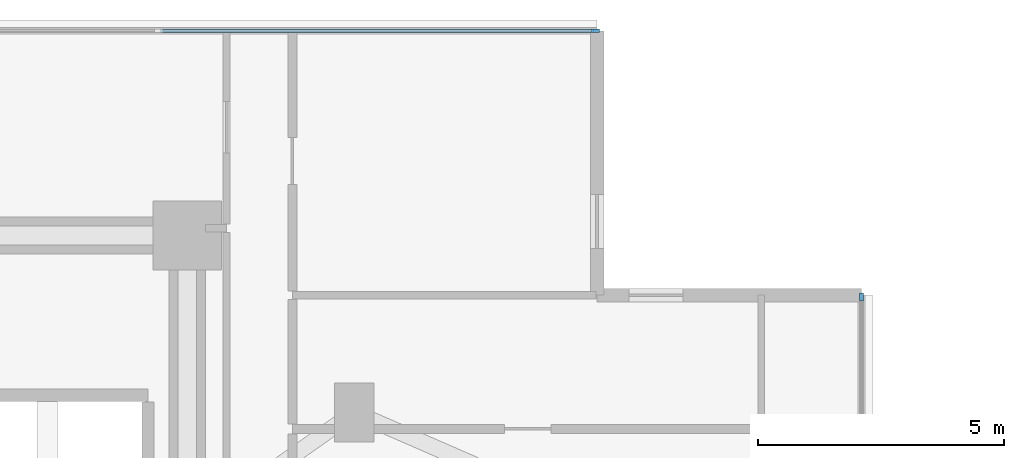
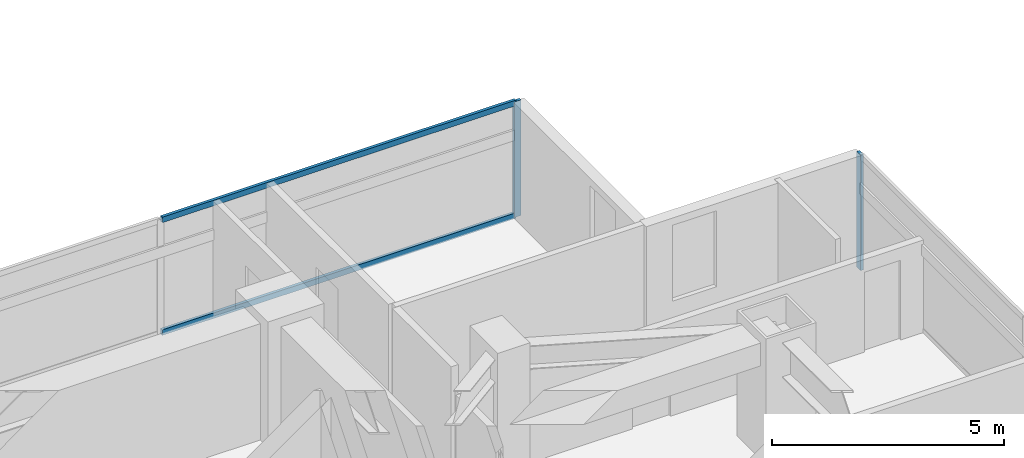
# One storey, part 8 of 26: 4 members, 2 elements without a shape of their own.
"""IFC4 building model written with IfcOpenShell, lengths in metres."""

import ifcopenshell
import ifcopenshell.guid

model = None  # the IFC model being written
_history = None  # IfcOwnerHistory: only IFC2X3 demands one
_inside = {}  # id of a spatial element -> (the spatial element, [elements in it])
_under = {}  # id of a project, library or spatial element -> (it, [spatial elements below it])
_declared = {}  # id of a project -> (the project, [libraries it declares])
_typed = {}  # id of a type object -> (the type object, [elements of that type])
_made_of = {}  # id of a material, layer set ... -> (it, [elements and type objects made of it])


def new_model(schema):
    """Start an empty IFC model of exactly this schema.

    Asked for "IFC4X3", IfcOpenShell would pick the latest addendum, in which some entities
    have other attributes; the version numbers below select the first issue.
    IFC2X3 requires an IfcOwnerHistory on every rooted entity: one is made here for all.
    """
    global model, _history
    if schema == "IFC4X3":
        model = ifcopenshell.file(schema_version=(4, 3, 0, 0))
    else:
        model = ifcopenshell.file(schema=schema)
    _inside.clear()
    _under.clear()
    _declared.clear()
    _typed.clear()
    _made_of.clear()
    _history = None
    if model.schema == "IFC2X3":
        org = make("IfcOrganization", Name="unknown")
        user = make(
            "IfcPersonAndOrganization",
            ThePerson=make("IfcPerson", FamilyName="unknown"),
            TheOrganization=org,
        )
        app = make(
            "IfcApplication",
            ApplicationDeveloper=org,
            Version="unknown",
            ApplicationFullName="unknown",
            ApplicationIdentifier="unknown",
        )
        _history = make(
            "IfcOwnerHistory",
            OwningUser=user,
            OwningApplication=app,
            ChangeAction="ADDED",
            CreationDate=0,
        )
    return model


def make(cls, **values):
    """One entity of the class cls with the attributes given. An attribute that is None is left unset."""
    return model.create_entity(
        cls, **{name: value for name, value in values.items() if value is not None}
    )


def rooted(cls, **values):
    """An entity with a GlobalId (a new one), such as an element, a storey or a relation."""
    return make(cls, GlobalId=ifcopenshell.guid.new(), OwnerHistory=_history, **values)


def si_unit(unit_type, name, prefix=None):
    """IfcSIUnit, for example si_unit("LENGTHUNIT", "METRE", prefix="MILLI")."""
    return make("IfcSIUnit", UnitType=unit_type, Prefix=prefix, Name=name)


def assignment(units):
    """IfcUnitAssignment: the units of a project."""
    return None if units is None else make("IfcUnitAssignment", Units=units)


def point(xyz):
    """IfcCartesianPoint."""
    return None if xyz is None else make("IfcCartesianPoint", Coordinates=xyz)


def direction(xyz):
    """IfcDirection."""
    return None if xyz is None else make("IfcDirection", DirectionRatios=xyz)


def frame(location, z_axis=None, x_axis=None):
    """IfcAxis2Placement3D, a coordinate frame: its origin and axes. An axis left out is left unset."""
    return make(
        "IfcAxis2Placement3D",
        Location=point(location),
        Axis=direction(z_axis),
        RefDirection=direction(x_axis),
    )


def frame_2d(location, x_axis=None):
    """IfcAxis2Placement2D, a coordinate frame in the plane: its origin and x axis."""
    return make(
        "IfcAxis2Placement2D", Location=point(location), RefDirection=direction(x_axis)
    )


def origin():
    """The frame at (0, 0, 0) with its axes left unset."""
    return frame((0.0, 0.0, 0.0))


def origin_2d():
    """The frame at (0, 0) in the plane with its x axis left unset."""
    return frame_2d((0.0, 0.0))


def place(relative_to, where):
    """IfcLocalPlacement: puts the frame where relative to a parent placement (None: the world)."""
    return make(
        "IfcLocalPlacement", PlacementRelTo=relative_to, RelativePlacement=where
    )


def context(
    kind, dimensions, precision=None, world=None, true_north=None, identifier=None
):
    """IfcGeometricRepresentationContext, for example the 3D "Model" context."""
    return make(
        "IfcGeometricRepresentationContext",
        ContextIdentifier=identifier,
        ContextType=kind,
        CoordinateSpaceDimension=dimensions,
        Precision=precision,
        WorldCoordinateSystem=world,
        TrueNorth=true_north,
    )


def subcontext(parent, identifier, kind, view, scale=None):
    """IfcGeometricRepresentationSubContext, for example "Body" below "Model"."""
    return make(
        "IfcGeometricRepresentationSubContext",
        ContextIdentifier=identifier,
        ContextType=kind,
        ParentContext=parent,
        TargetScale=scale,
        TargetView=view,
    )


def project(units=None, contexts=None):
    """IfcProject with its units and contexts."""
    return rooted(
        "IfcProject",
        Name="project",
        RepresentationContexts=contexts,
        UnitsInContext=assignment(units),
    )


def spatial(cls, under=None, at=None, **own):
    """A site, building, storey or space (cls), placed at a placement, below another one or the project."""
    s = rooted(cls, ObjectPlacement=at, **own)
    if under is not None:
        _under.setdefault(under.id(), (under, []))[1].append(s)
    return s


def profile(cls, at=None, kind="AREA", **sizes):
    """A parametric profile (cls). Its sizes go by their IFC names, for example OverallWidth=200.0."""
    return make(cls, ProfileType=kind, Position=at, **sizes)


def rectangle(**sizes):
    """IfcRectangleProfileDef."""
    return profile("IfcRectangleProfileDef", **sizes)


def extrude(swept, where, along, depth):
    """IfcExtrudedAreaSolid: the profile swept, set in the frame where, extruded along a direction by depth."""
    return make(
        "IfcExtrudedAreaSolid",
        SweptArea=swept,
        Position=where,
        ExtrudedDirection=direction(along),
        Depth=depth,
    )


def shape(context_of_items, identifier, shape_type, items):
    """IfcShapeRepresentation: the items that make up one representation, for example the "Body"."""
    return make(
        "IfcShapeRepresentation",
        ContextOfItems=context_of_items,
        RepresentationIdentifier=identifier,
        RepresentationType=shape_type,
        Items=items,
    )


def material(Name=None, Category=None):
    """IfcMaterial."""
    return make("IfcMaterial", Name=Name, Category=Category)


def material_profile(
    of_material, cross_section, Name=None, Category=None, Priority=None
):
    """IfcMaterialProfile: a cross section and its material."""
    return make(
        "IfcMaterialProfile",
        Name=Name,
        Material=of_material,
        Profile=cross_section,
        Priority=Priority,
        Category=Category,
    )


def profile_set(profiles, Name=None, composite=None):
    """IfcMaterialProfileSet."""
    return make(
        "IfcMaterialProfileSet",
        Name=Name,
        MaterialProfiles=profiles,
        CompositeProfile=composite,
    )


def made_of(thing, what):
    """Note that an element or type object is made of a material, layer set ...; save() writes the relation."""
    if what is not None:
        _made_of.setdefault(what.id(), (what, []))[1].append(thing)
    return thing


def type_object(cls, material=None, **own):
    """A type object (cls), such as IfcWallType, which elements share."""
    return made_of(rooted(cls, **own), material)


def element(
    cls,
    number,
    at=None,
    inside=None,
    cuts=None,
    type_object=None,
    material=None,
    context=None,
    identifier="Body",
    shape_type=None,
    held_by="IfcProductDefinitionShape",
    body=None,
    shapes=None,
    **own,
):
    """One element of the class cls, such as IfcWall. Its Tag is "e" and its number.

    at: its placement. inside: the storey or other place that contains it. cuts: it is an
    opening in that element (IfcRelVoidsElement). A single representation is given by context,
    identifier, shape_type and body (its items); several are given by shapes. held_by: the class
    of the entity that holds the representations. save() writes the other relations.
    """
    e = rooted(cls, Tag="e%d" % number, ObjectPlacement=at, **own)
    if body is not None:
        shapes = [shape(context, identifier, shape_type, body)]
    if shapes is not None:
        e.Representation = make(held_by, Representations=shapes)
    if inside is not None:
        _inside.setdefault(inside.id(), (inside, []))[1].append(e)
    if cuts is not None:
        rooted(
            "IfcRelVoidsElement", RelatingBuildingElement=cuts, RelatedOpeningElement=e
        )
    if type_object is not None:
        _typed.setdefault(type_object.id(), (type_object, []))[1].append(e)
    return made_of(e, material)


def aggregate(whole, parts):
    """IfcRelAggregates: a whole, such as a stair, and the parts it consists of."""
    return rooted("IfcRelAggregates", RelatingObject=whole, RelatedObjects=parts)


def save(model, path):
    """Write the relations noted so far, then the file.

    IfcRelAggregates (storeys below a building ...), IfcRelContainedInSpatialStructure (elements
    in a storey), IfcRelDefinesByType, IfcRelAssociatesMaterial and IfcRelDeclares: one each for
    every whole, place, type object, material and project.
    """
    for whole, parts in _under.values():
        aggregate(whole, parts)
    for where, things in _inside.values():
        rooted(
            "IfcRelContainedInSpatialStructure",
            RelatedElements=things,
            RelatingStructure=where,
        )
    for kind, things in _typed.values():
        rooted("IfcRelDefinesByType", RelatedObjects=things, RelatingType=kind)
    for what, things in _made_of.values():
        rooted("IfcRelAssociatesMaterial", RelatedObjects=things, RelatingMaterial=what)
    for by, libraries in _declared.values():
        rooted("IfcRelDeclares", RelatingContext=by, RelatedDefinitions=libraries)
    model.write(path)


model = new_model("IFC4")

# Units and contexts
model_context = context("Model", 3, precision=1e-05, world=origin(), true_north=direction((0.0, 1.0)))
body_context = subcontext(model_context, "Body", "Model", "MODEL_VIEW")
ifc_project = project(units=[si_unit("LENGTHUNIT", "METRE"), si_unit("AREAUNIT", "SQUARE_METRE"), si_unit("VOLUMEUNIT", "CUBIC_METRE"), si_unit("PLANEANGLEUNIT", "RADIAN"), si_unit("MASSUNIT", "GRAM", prefix="KILO")], contexts=[model_context])

# Site, building, storey
site_placement = place(None, origin())
site = spatial("IfcSite", under=ifc_project, at=site_placement, CompositionType="ELEMENT")
building_placement = place(site_placement, origin())
building = spatial("IfcBuilding", under=site, at=building_placement, Name="Mirazonda Arch Towers", CompositionType="ELEMENT")
storey_placement = place(building_placement, frame((0.0, 0.0, 48.800048828125)))
storey = spatial("IfcBuildingStorey", under=building, at=storey_placement, Name="L13", CompositionType="ELEMENT", Elevation=48.800048828125)

# Curtain wall, member
ifc_material_1 = material(Name="Anodised Aluminium and Low-E Glass", Category="aluminium")
curtain_wall_type = type_object("IfcCurtainWallType", Name="CW-HTL-UNIT", PredefinedType="NOTDEFINED", material=ifc_material_1)
curtain_wall_1_placement = place(storey_placement, origin())
curtain_wall_1 = element("IfcCurtainWall", 1, at=curtain_wall_1_placement, inside=storey, type_object=curtain_wall_type, Name="L13 T1 E Facade CW-L13-T1-E", PredefinedType="NOTDEFINED")
ifc_material_2 = material(Name="Anodised Aluminium Alloy", Category="aluminium")
ifc_material_profile_1 = material_profile(ifc_material_2, rectangle(XDim=0.074951171875, YDim=0.1650390625, at=origin_2d()), Name="ALU-MULL-75x165")
ifc_profile_set_1 = profile_set([ifc_material_profile_1], Name="Anodised Aluminium Alloy")
member_type_1 = type_object("IfcMemberType", Name="MULL-CW-HTL-UNIT", PredefinedType="MULLION", material=ifc_profile_set_1)
member_1_placement = place(storey_placement, frame((43.719970703125, 42.346435546875, 0.0), z_axis=(0.0, 0.0, 1.0), x_axis=(-1.0, 0.0, 0.0)))
member_1 = element("IfcMember", 2, at=member_1_placement, type_object=member_type_1, Name="CW-112 mullion 5", PredefinedType="MULLION", context=body_context, shape_type="SweptSolid", body=[
    extrude(rectangle(XDim=0.074951171875, YDim=0.1650390625, at=origin_2d()), origin(), (0.0, 0.0, 1.0), 3.0400390625),
])
aggregate(curtain_wall_1, [member_1])

# Curtain wall, members
curtain_wall_2_placement = place(storey_placement, origin())
curtain_wall_2 = element("IfcCurtainWall", 3, at=curtain_wall_2_placement, inside=storey, type_object=curtain_wall_type, Name="L13 T1 N Facade CW-L13-T1-N", PredefinedType="NOTDEFINED")
member_2_placement = place(storey_placement, frame((38.302490234375, 47.763916015625, 0.0), z_axis=(0.0, 0.0, 1.0), x_axis=(0.0, 1.0, 0.0)))
member_2 = element("IfcMember", 4, at=member_2_placement, type_object=member_type_1, Name="CW-112 mullion 5", PredefinedType="MULLION", context=body_context, shape_type="SweptSolid", body=[
    extrude(rectangle(XDim=0.074951171875, YDim=0.1650390625, at=origin_2d()), origin(), (0.0, 0.0, 1.0), 3.0400390625),
])
ifc_material_profile_2 = material_profile(ifc_material_2, rectangle(XDim=0.074951171875, YDim=0.14501953125, at=origin_2d()), Name="ALU-TRAN-75x145")
ifc_profile_set_2 = profile_set([ifc_material_profile_2], Name="Anodised Aluminium Alloy")
member_type_2 = type_object("IfcMemberType", Name="TRAN-CW-HTL-UNIT", PredefinedType="USERDEFINED", material=ifc_profile_set_2)
member_3_placement = place(storey_placement, frame((29.45751953125, 47.763916015625, 0.037353515625), z_axis=(1.0, 0.0, 0.0), x_axis=(0.0, 1.0, 0.0)))
member_3 = element("IfcMember", 5, at=member_3_placement, type_object=member_type_2, Name="CW-112 transom 4.1", ObjectType="TRANSOM", PredefinedType="USERDEFINED", context=body_context, shape_type="SweptSolid", body=[
    extrude(rectangle(XDim=0.074951171875, YDim=0.14501953125, at=origin_2d()), origin(), (0.0, 0.0, 1.0), 8.807373046875),
])
member_4_placement = place(storey_placement, frame((29.45751953125, 47.763916015625, 3.00244140625), z_axis=(1.0, 0.0, 0.0), x_axis=(0.0, 1.0, 0.0)))
member_4 = element("IfcMember", 6, at=member_4_placement, type_object=member_type_2, Name="CW-112 transom 4.2", ObjectType="TRANSOM", PredefinedType="USERDEFINED", context=body_context, shape_type="SweptSolid", body=[
    extrude(rectangle(XDim=0.074951171875, YDim=0.14501953125, at=origin_2d()), origin(), (0.0, 0.0, 1.0), 8.807373046875),
])
aggregate(curtain_wall_2, [member_2, member_3, member_4])

save(model, "model.ifc")
